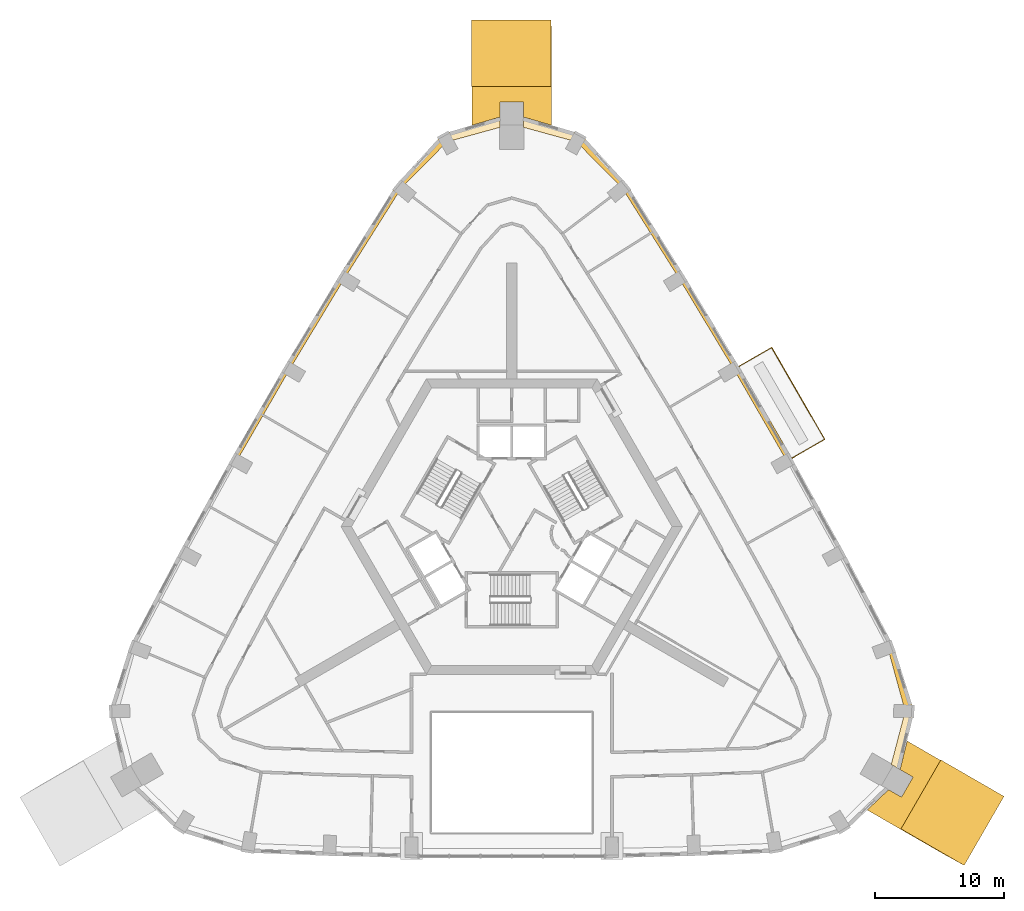
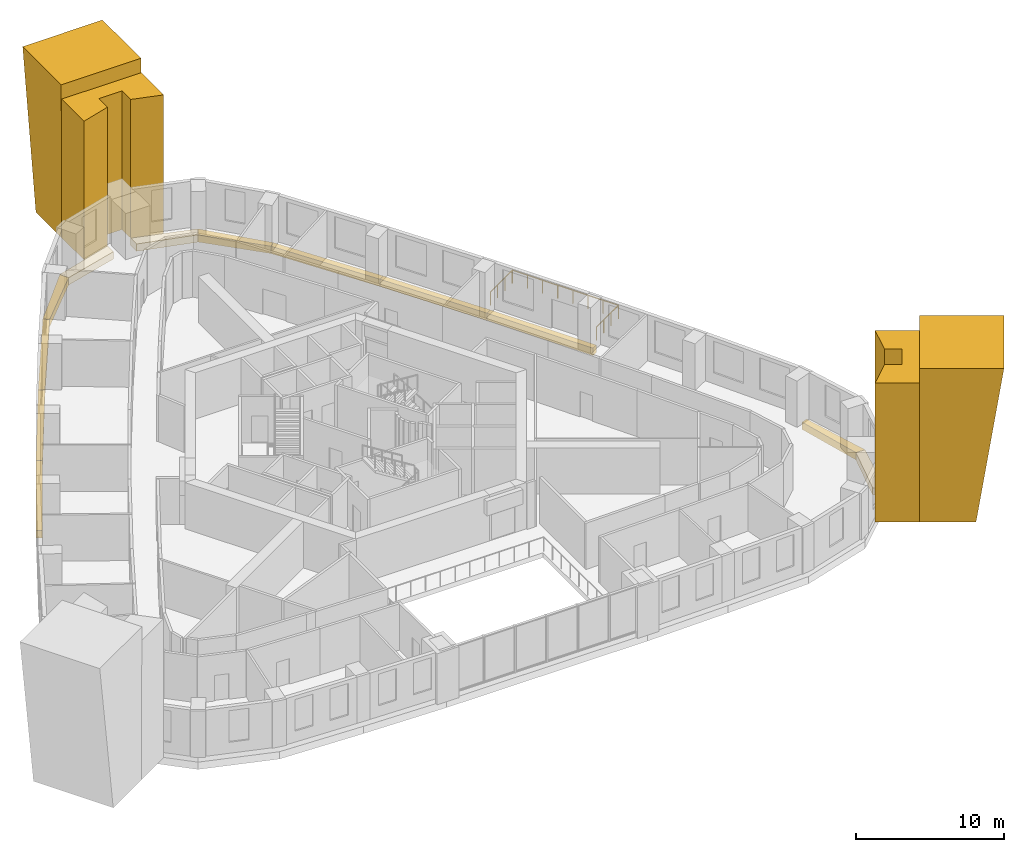
# One storey, part 13 of 13: 16 coverings, 1 railing.
"""IFC4 building model written with IfcOpenShell, lengths in metres."""

from ifc_helpers import new_model, si_unit, direction, frame, origin, origin_2d, place, context, subcontext, project, spatial, polyline, circle, outline, extrude, material, type_object, element, save


model = new_model("IFC4")

# Units and contexts
model_context = context("Model", 3, precision=1e-05, world=origin(), true_north=direction((0.0, 1.0)))
body_context = subcontext(model_context, "Body", "Model", "MODEL_VIEW")
ifc_project = project(units=[si_unit("LENGTHUNIT", "METRE"), si_unit("AREAUNIT", "SQUARE_METRE"), si_unit("VOLUMEUNIT", "CUBIC_METRE"), si_unit("PLANEANGLEUNIT", "RADIAN"), si_unit("MASSUNIT", "GRAM", prefix="KILO")], contexts=[model_context])

# Site, building, storey
site_placement = place(None, origin())
site = spatial("IfcSite", under=ifc_project, at=site_placement, CompositionType="ELEMENT")
building_placement = place(site_placement, origin())
building = spatial("IfcBuilding", under=site, at=building_placement, Name="Entoto Arch Interchange Tower", CompositionType="ELEMENT")
storey_placement = place(building_placement, frame((0.0, 0.0, 215.0)))
storey = spatial("IfcBuildingStorey", under=building, at=storey_placement, Name="L48", CompositionType="ELEMENT", Elevation=215.0)

# Railing
ifc_material_1 = material(Name="Stainless steel 1.4301", Category="steel")
railing_type = type_object("IfcRailingType", Name="GUARD 1100 STEEL AND GLASS", PredefinedType="GUARDRAIL", material=ifc_material_1)
railing_placement = place(storey_placement, frame((21.791015625, 7.819091796875, 0.0)))
element("IfcRailing", 1, at=railing_placement, inside=storey, type_object=railing_type, Name="Balcony guard NE-03 L48", PredefinedType="GUARDRAIL", context=body_context, shape_type="SweptSolid", body=[
    extrude(circle(Radius=0.02392578125, at=origin_2d()), frame((0.0, 0.0, 1.076171875), z_axis=(0.866060182126, 0.499939757307, 0.0), x_axis=(-0.499939757307, 0.866060182126, 0.0)), (0.0, 0.0, 1.0), 2.949951171875),
    extrude(circle(Radius=0.02392578125, at=origin_2d()), frame((2.554931640625, 1.474853515625, 1.076171875), z_axis=(-0.499997465321, 0.866026867177, 0.0), x_axis=(-0.866026867177, -0.499997465321, 0.0)), (0.0, 0.0, 1.0), 8.248046875),
    extrude(circle(Radius=0.02392578125, at=origin_2d()), frame((-1.569091796875, 8.617919921875, 1.076171875), z_axis=(-0.866024349092, -0.500001826776, 0.0), x_axis=(0.500001826776, -0.866024349092, 0.0)), (0.0, 0.0, 1.0), 2.9501953125),
    extrude(circle(Radius=0.02099609375, at=origin_2d()), origin(), (0.0, 0.0, 1.0), 1.052001953125),
    extrude(circle(Radius=0.02099609375, at=origin_2d()), frame((0.8515625, 0.49169921875, 0.0)), (0.0, 0.0, 1.0), 1.052001953125),
    extrude(circle(Radius=0.02099609375, at=origin_2d()), frame((1.703369140625, 0.983154296875, 0.0)), (0.0, 0.0, 1.0), 1.052001953125),
    extrude(circle(Radius=0.02099609375, at=origin_2d()), frame((2.554931640625, 1.474853515625, 0.0)), (0.0, 0.0, 1.0), 1.052001953125),
    extrude(circle(Radius=0.02099609375, at=origin_2d()), frame((1.9658203125, 2.495361328125, 0.0)), (0.0, 0.0, 1.0), 1.052001953125),
    extrude(circle(Radius=0.02099609375, at=origin_2d()), frame((1.376708984375, 3.515625, 0.0)), (0.0, 0.0, 1.0), 1.052001953125),
    extrude(circle(Radius=0.02099609375, at=origin_2d()), frame((0.78759765625, 4.5361328125, 0.0)), (0.0, 0.0, 1.0), 1.052001953125),
    extrude(circle(Radius=0.02099609375, at=origin_2d()), frame((0.1982421875, 5.556640625, 0.0)), (0.0, 0.0, 1.0), 1.052001953125),
    extrude(circle(Radius=0.02099609375, at=origin_2d()), frame((-0.390869140625, 6.5771484375, 0.0)), (0.0, 0.0, 1.0), 1.052001953125),
    extrude(circle(Radius=0.02099609375, at=origin_2d()), frame((-0.97998046875, 7.597412109375, 0.0)), (0.0, 0.0, 1.0), 1.052001953125),
    extrude(circle(Radius=0.02099609375, at=origin_2d()), frame((-1.569091796875, 8.617919921875, 0.0)), (0.0, 0.0, 1.0), 1.052001953125),
    extrude(circle(Radius=0.02099609375, at=origin_2d()), frame((-2.420654296875, 8.126220703125, 0.0)), (0.0, 0.0, 1.0), 1.052001953125),
    extrude(circle(Radius=0.02099609375, at=origin_2d()), frame((-3.2724609375, 7.634521484375, 0.0)), (0.0, 0.0, 1.0), 1.052001953125),
    extrude(circle(Radius=0.02099609375, at=origin_2d()), frame((-4.1240234375, 7.142822265625, 0.0)), (0.0, 0.0, 1.0), 1.052001953125),
])

# Coverings
ifc_material_2 = material(Name="Board-marked precast concrete C50/60", Category="concrete")
covering_type_1 = type_object("IfcCoveringType", Name="PRECAST FRAME COURSE", PredefinedType="CLADDING", material=ifc_material_2)
covering_1_placement = place(storey_placement, frame((0.0, 0.0, -0.39990234375)))
element("IfcCovering", 2, at=covering_1_placement, inside=storey, type_object=covering_type_1, Name="Corner pilaster SE L48-L50", PredefinedType="CLADDING", context=body_context, shape_type="SweptSolid", body=[
    extrude(outline(polyline([(33.361083984375, -15.680908203125), (30.260986328125, -21.051025390625), (27.653076171875, -19.544921875), (29.31298828125, -17.962890625), (30.321044921875, -18.544921875), (31.220947265625, -16.987060546875), (30.212890625, -16.404052734375), (30.7529296875, -14.176025390625), (33.361083984375, -15.680908203125)])), origin(), (0.0, 0.0, 1.0), 11.39990234375),
])
covering_2_placement = place(storey_placement, frame((0.0, 0.0, -0.39990234375)))
element("IfcCovering", 3, at=covering_2_placement, inside=storey, type_object=covering_type_1, Name="Corner pilaster N L48-L50", PredefinedType="CLADDING", context=body_context, shape_type="SweptSolid", body=[
    extrude(outline(polyline([(-3.10009765625, 36.73193359375), (3.10009765625, 36.73193359375), (3.10009765625, 33.720947265625), (0.89990234375, 34.367919921875), (0.89990234375, 35.531982421875), (-0.89990234375, 35.531982421875), (-0.89990234375, 34.367919921875), (-3.10009765625, 33.720947265625), (-3.10009765625, 36.73193359375)])), origin(), (0.0, 0.0, 1.0), 11.39990234375),
])
covering_3_placement = place(storey_placement, frame((30.260986328125, -21.051025390625, -0.39990234375), z_axis=(-0.499969457988, -0.866037864128, 0.002993154779), x_axis=(0.866041743975, -0.499971696891, 2.77249e-07)))
element("IfcCovering", 4, at=covering_3_placement, inside=storey, type_object=covering_type_1, Name="Corner rib SE L48-L50", PredefinedType="CLADDING", context=body_context, shape_type="SweptSolid", body=[
    extrude(outline(polyline([(0.0, 0.0), (3.7928153962997495, 0.0), (5.675510932581721, 12.599908383358843), (1.693981496540853e-05, 12.599911008447847), (0.0, 0.0)])), origin(), (0.0, 0.0, -1.0), 6.199951171875),
])
covering_4_placement = place(storey_placement, frame((3.10009765625, 36.73193359375, -0.39990234375), z_axis=(0.999995431587, 0.0, 0.003022714785), x_axis=(0.0, 1.0, 0.0)))
element("IfcCovering", 5, at=covering_4_placement, inside=storey, type_object=covering_type_1, Name="Corner rib N L48-L50", PredefinedType="CLADDING", context=body_context, shape_type="SweptSolid", body=[
    extrude(outline(polyline([(0.0, 0.0), (3.464111328125, 0.0), (5.18212890625, 12.59991107721967), (0.0, 12.59991107721967), (0.0, 0.0)])), origin(), (0.0, 0.0, -1.0), 6.199951171875),
])
covering_type_2 = type_object("IfcCoveringType", Name="PRECAST LEDGE COURSE", PredefinedType="CLADDING", material=ifc_material_2)
covering_5_placement = place(storey_placement, frame((0.0, 0.0, -1.0)))
element("IfcCovering", 6, at=covering_5_placement, inside=storey, type_object=covering_type_2, Name="Precast course SE-03 L48", PredefinedType="CLADDING", context=body_context, shape_type="SweptSolid", body=[
    extrude(outline(polyline([(30.60693359375, -11.85595703125), (31.31201171875, -11.873046875), (30.212890625, -16.405029296875), (29.52099609375, -16.0048828125), (30.60693359375, -11.85595703125)])), origin(), (0.0, 0.0, 1.0), 0.60009765625),
])
covering_6_placement = place(storey_placement, frame((0.0, 0.0, -1.0)))
element("IfcCovering", 7, at=covering_6_placement, inside=storey, type_object=covering_type_2, Name="Precast course SE-04 L48", PredefinedType="CLADDING", context=body_context, shape_type="SweptSolid", body=[
    extrude(outline(polyline([(29.256103515625, -6.951904296875), (29.699951171875, -6.7880859375), (31.31201171875, -11.873046875), (30.60693359375, -11.85595703125), (29.256103515625, -6.951904296875)])), origin(), (0.0, 0.0, 1.0), 0.60009765625),
])
covering_7_placement = place(storey_placement, frame((0.0, 0.0, -1.0)))
element("IfcCovering", 8, at=covering_7_placement, inside=storey, type_object=covering_type_2, Name="Precast course NE-03 L48", PredefinedType="CLADDING", context=body_context, shape_type="SweptSolid", body=[
    extrude(outline(polyline([(17.279052734375, 14.73291015625), (17.6669921875, 14.9619140625), (21.791015625, 7.819091796875), (21.39892578125, 7.596923828125), (17.279052734375, 14.73291015625)])), origin(), (0.0, 0.0, 1.0), 0.60009765625),
])
covering_8_placement = place(storey_placement, frame((0.0, 0.0, -1.0)))
element("IfcCovering", 9, at=covering_8_placement, inside=storey, type_object=covering_type_2, Name="Precast course NE-04 L48", PredefinedType="CLADDING", context=body_context, shape_type="SweptSolid", body=[
    extrude(outline(polyline([(13.02490234375, 21.7900390625), (13.4140625, 22.030029296875), (17.6669921875, 14.9619140625), (17.279052734375, 14.73291015625), (13.02490234375, 21.7900390625)])), origin(), (0.0, 0.0, 1.0), 0.60009765625),
])
covering_9_placement = place(storey_placement, frame((0.0, 0.0, -1.0)))
element("IfcCovering", 10, at=covering_9_placement, inside=storey, type_object=covering_type_2, Name="Precast course NE-05 L48", PredefinedType="CLADDING", context=body_context, shape_type="SweptSolid", body=[
    extrude(outline(polyline([(8.60693359375, 28.81298828125), (8.970947265625, 29.114990234375), (13.4140625, 22.030029296875), (13.02490234375, 21.7900390625), (8.60693359375, 28.81298828125)])), origin(), (0.0, 0.0, 1.0), 0.60009765625),
])
covering_10_placement = place(storey_placement, frame((0.0, 0.0, -1.0)))
element("IfcCovering", 11, at=covering_10_placement, inside=storey, type_object=covering_type_2, Name="Precast course N-01 L48", PredefinedType="CLADDING", context=body_context, shape_type="SweptSolid", body=[
    extrude(outline(polyline([(5.035888671875, 32.43408203125), (5.373046875, 33.052978515625), (8.970947265625, 29.114990234375), (8.60693359375, 28.81298828125), (5.035888671875, 32.43408203125)])), origin(), (0.0, 0.0, 1.0), 0.60009765625),
])
covering_11_placement = place(storey_placement, frame((0.0, 0.0, -1.0)))
element("IfcCovering", 12, at=covering_11_placement, inside=storey, type_object=covering_type_2, Name="Precast course N-02 L48", PredefinedType="CLADDING", context=body_context, shape_type="SweptSolid", body=[
    extrude(outline(polyline([(0.89990234375, 33.568115234375), (0.89990234375, 34.367919921875), (5.373046875, 33.052978515625), (5.035888671875, 32.43408203125), (0.89990234375, 33.568115234375)])), origin(), (0.0, 0.0, 1.0), 0.60009765625),
])
covering_12_placement = place(storey_placement, frame((0.0, 0.0, -1.0)))
element("IfcCovering", 13, at=covering_12_placement, inside=storey, type_object=covering_type_2, Name="Precast course N-03 L48", PredefinedType="CLADDING", context=body_context, shape_type="SweptSolid", body=[
    extrude(outline(polyline([(-5.035888671875, 32.43408203125), (-5.373046875, 33.052978515625), (-0.89990234375, 34.367919921875), (-0.89990234375, 33.568115234375), (-5.035888671875, 32.43408203125)])), origin(), (0.0, 0.0, 1.0), 0.60009765625),
])
covering_13_placement = place(storey_placement, frame((0.0, 0.0, -1.0)))
element("IfcCovering", 14, at=covering_13_placement, inside=storey, type_object=covering_type_2, Name="Precast course N-04 L48", PredefinedType="CLADDING", context=body_context, shape_type="SweptSolid", body=[
    extrude(outline(polyline([(-8.60693359375, 28.81298828125), (-8.970947265625, 29.114990234375), (-5.373046875, 33.052978515625), (-5.035888671875, 32.43408203125), (-8.60693359375, 28.81298828125)])), origin(), (0.0, 0.0, 1.0), 0.60009765625),
])
covering_14_placement = place(storey_placement, frame((0.0, 0.0, -1.0)))
element("IfcCovering", 15, at=covering_14_placement, inside=storey, type_object=covering_type_2, Name="Precast course NW-01 L48", PredefinedType="CLADDING", context=body_context, shape_type="SweptSolid", body=[
    extrude(outline(polyline([(-13.02490234375, 21.7900390625), (-13.4140625, 22.030029296875), (-8.970947265625, 29.114990234375), (-8.60693359375, 28.81298828125), (-13.02490234375, 21.7900390625)])), origin(), (0.0, 0.0, 1.0), 0.60009765625),
])
covering_15_placement = place(storey_placement, frame((0.0, 0.0, -1.0)))
element("IfcCovering", 16, at=covering_15_placement, inside=storey, type_object=covering_type_2, Name="Precast course NW-02 L48", PredefinedType="CLADDING", context=body_context, shape_type="SweptSolid", body=[
    extrude(outline(polyline([(-17.279052734375, 14.73291015625), (-17.6669921875, 14.9619140625), (-13.4140625, 22.030029296875), (-13.02490234375, 21.7900390625), (-17.279052734375, 14.73291015625)])), origin(), (0.0, 0.0, 1.0), 0.60009765625),
])
covering_16_placement = place(storey_placement, frame((0.0, 0.0, -1.0)))
element("IfcCovering", 17, at=covering_16_placement, inside=storey, type_object=covering_type_2, Name="Precast course NW-03 L48", PredefinedType="CLADDING", context=body_context, shape_type="SweptSolid", body=[
    extrude(outline(polyline([(-21.39892578125, 7.596923828125), (-21.791015625, 7.819091796875), (-17.6669921875, 14.9619140625), (-17.279052734375, 14.73291015625), (-21.39892578125, 7.596923828125)])), origin(), (0.0, 0.0, 1.0), 0.60009765625),
])

save(model, "model.ifc")
